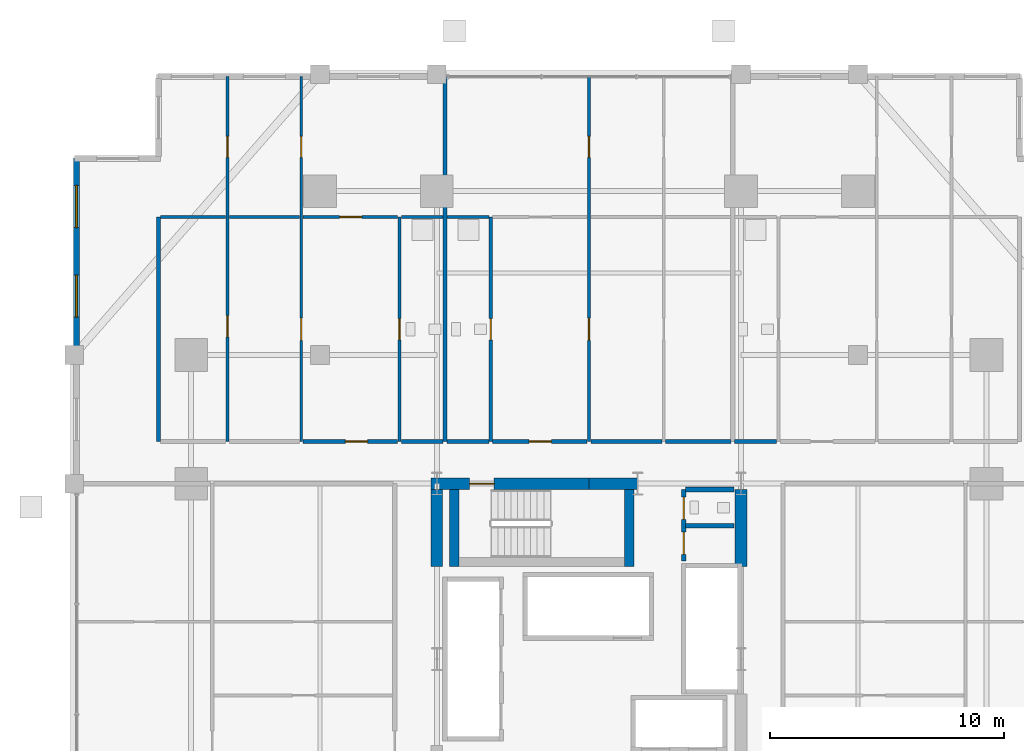
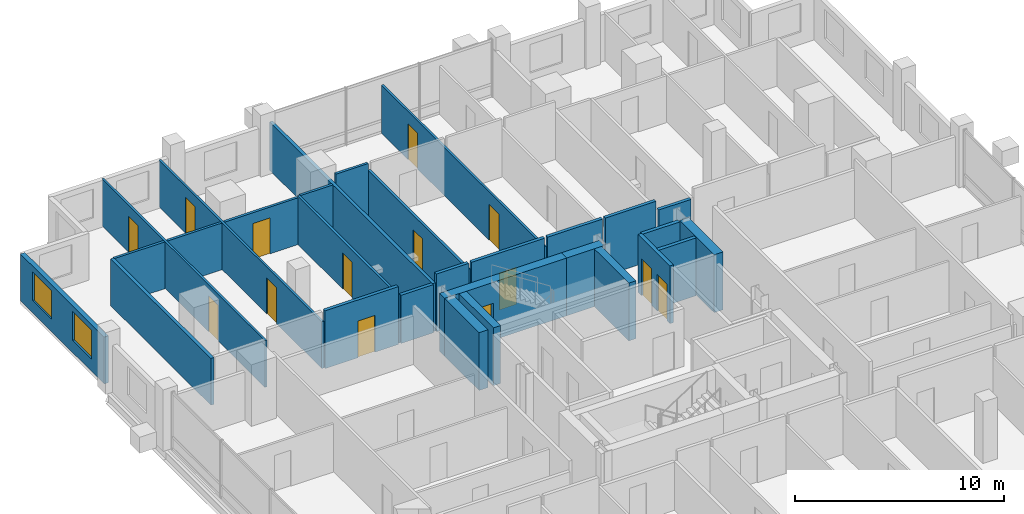
# One storey, part 20 of 24: 29 walls, 14 doors, 2 windows, 16 openings.
"""IFC4 building model written with IfcOpenShell, lengths in metres."""

from ifc_helpers import new_model, si_unit, direction, frame, frame_2d, origin, place, context, subcontext, project, spatial, rectangle, extrude, material, layer, layer_set, type_object, element, fill, save


model = new_model("IFC4")

# Units and contexts
model_context = context("Model", 3, precision=1e-05, world=origin(), true_north=direction((0.0, 1.0)))
body_context = subcontext(model_context, "Body", "Model", "MODEL_VIEW")
ifc_project = project(units=[si_unit("LENGTHUNIT", "METRE"), si_unit("AREAUNIT", "SQUARE_METRE"), si_unit("VOLUMEUNIT", "CUBIC_METRE"), si_unit("PLANEANGLEUNIT", "RADIAN"), si_unit("MASSUNIT", "GRAM", prefix="KILO")], contexts=[model_context])

# Site, building, storey
site_placement = place(None, origin())
site = spatial("IfcSite", under=ifc_project, at=site_placement, CompositionType="ELEMENT")
building_placement = place(site_placement, origin())
building = spatial("IfcBuilding", under=site, at=building_placement, Name="Barlavira Tower and Art Museum", CompositionType="ELEMENT")
storey_placement = place(building_placement, frame((0.0, 0.0, 43.199951171875)))
storey = spatial("IfcBuildingStorey", under=building, at=storey_placement, Name="L09", CompositionType="ELEMENT", Elevation=43.199951171875)

# Wall, openings, doors
ifc_material_1 = material(Name="Gypsum acoustic stud partition", Category="gypsum")
ifc_layer_1 = layer(ifc_material_1, 0.1201171875, Name="Gypsum acoustic stud partition")
ifc_layer_set_1 = layer_set([ifc_layer_1], Name="Gypsum acoustic stud partition")
wall_type_1 = type_object("IfcWallType", Name="Apartment Internal Acoustic Partition 120", PredefinedType="PARTITIONING", material=ifc_layer_set_1)
wall_1_placement = place(storey_placement, frame((-15.449951171875, 9.300048828125, 0.0), z_axis=(0.0, 0.0, 1.0), x_axis=(0.0, 1.0, 0.0)))
wall_1 = element("IfcWall", 1, at=wall_1_placement, inside=storey, type_object=wall_type_1, Name="L09 Partition Wall 4", PredefinedType="PARTITIONING", context=body_context, shape_type="SweptSolid", body=[
    extrude(rectangle(XDim=15.599853515625, YDim=0.1201171875, at=frame_2d((7.7998046875, 0.0))), origin(), (0.0, 0.0, 1.0), 2.736083984375),
])
opening_1_placement = place(wall_1_placement, frame((4.478271484375, 0.0, 0.0)))
opening_1 = element("IfcOpeningElement", 2, at=opening_1_placement, cuts=wall_1, Name="Opening D-01", PredefinedType="OPENING", context=body_context, shape_type="SweptSolid", body=[
    extrude(rectangle(XDim=0.89990234375, YDim=2.10009765625, at=frame_2d((0.449951171875, 1.050048828125))), frame((0.0, 0.070068359375, 0.0), z_axis=(0.0, -1.0, 0.0), x_axis=(1.0, 0.0, 0.0)), (0.0, 0.0, 1.0), 0.14013671875),
])
opening_2_placement = place(wall_1_placement, frame((12.14990234375, 0.0, 0.0)))
opening_2 = element("IfcOpeningElement", 3, at=opening_2_placement, cuts=wall_1, Name="Opening D-01", PredefinedType="OPENING", context=body_context, shape_type="SweptSolid", body=[
    extrude(rectangle(XDim=0.89990234375, YDim=2.10009765625, at=frame_2d((0.449951171875, 1.050048828125))), frame((0.0, 0.070068359375, 0.0), z_axis=(0.0, -1.0, 0.0), x_axis=(1.0, 0.0, 0.0)), (0.0, 0.0, 1.0), 0.14013671875),
])
ifc_material_2 = material(Name="Engineered coastal hardwood", Category="wood")
door_type_1 = type_object("IfcDoorType", Name="Internal Bedroom Timber Flush Door 900x2100", OperationType="NOTDEFINED", PredefinedType="DOOR", material=ifc_material_2)
door_1_placement = place(opening_1_placement, origin())
door_1 = element("IfcDoor", 4, at=door_1_placement, inside=storey, type_object=door_type_1, Name="Apartment N1 Walk-In Dressing Room Door", OperationType="SINGLE_SWING_RIGHT", OverallHeight=2.10009765625, OverallWidth=0.89990234375, PredefinedType="DOOR", context=body_context, shape_type="SweptSolid", body=[
    extrude(rectangle(XDim=0.89990234375, YDim=2.10009765625, at=frame_2d((0.449951171875, 1.050048828125))), frame((0.0, 0.02490234375, 0.0), z_axis=(0.0, -1.0, 0.0), x_axis=(1.0, 0.0, 0.0)), (0.0, 0.0, 1.0), 0.050048828125),
])
fill(opening_1, door_1)
door_2_placement = place(opening_2_placement, origin())
door_2 = element("IfcDoor", 5, at=door_2_placement, inside=storey, type_object=door_type_1, Name="Apartment N1 Sunroom Lounge 2 Door", OperationType="SINGLE_SWING_LEFT", OverallHeight=2.10009765625, OverallWidth=0.89990234375, PredefinedType="DOOR", context=body_context, shape_type="SweptSolid", body=[
    extrude(rectangle(XDim=0.89990234375, YDim=2.10009765625, at=frame_2d((0.449951171875, 1.050048828125))), frame((0.0, 0.02490234375, 0.0), z_axis=(0.0, -1.0, 0.0), x_axis=(1.0, 0.0, 0.0)), (0.0, 0.0, 1.0), 0.050048828125),
])
fill(opening_2, door_2)

wall_2_placement = place(storey_placement, frame((-12.300048828125, 9.300048828125, 0.0), z_axis=(0.0, 0.0, 1.0), x_axis=(0.0, 1.0, 0.0)))
wall_2 = element("IfcWall", 6, at=wall_2_placement, inside=storey, type_object=wall_type_1, Name="L09 Partition Wall 6", PredefinedType="PARTITIONING", context=body_context, shape_type="SweptSolid", body=[
    extrude(rectangle(XDim=15.599853515625, YDim=0.1201171875, at=frame_2d((7.7998046875, 0.0))), origin(), (0.0, 0.0, 1.0), 2.736083984375),
])
opening_3_placement = place(wall_2_placement, frame((4.324951171875, 0.0, 0.0)))
opening_3 = element("IfcOpeningElement", 7, at=opening_3_placement, cuts=wall_2, Name="Opening D-02", PredefinedType="OPENING", context=body_context, shape_type="SweptSolid", body=[
    extrude(rectangle(XDim=0.949951171875, YDim=2.10009765625, at=frame_2d((0.47509765625, 1.050048828125))), frame((0.0, 0.070068359375, 0.0), z_axis=(0.0, -1.0, 0.0), x_axis=(1.0, 0.0, 0.0)), (0.0, 0.0, 1.0), 0.14013671875),
])
opening_4_placement = place(wall_2_placement, frame((12.14990234375, 0.0, 0.0)))
opening_4 = element("IfcOpeningElement", 8, at=opening_4_placement, cuts=wall_2, Name="Opening D-01", PredefinedType="OPENING", context=body_context, shape_type="SweptSolid", body=[
    extrude(rectangle(XDim=0.89990234375, YDim=2.10009765625, at=frame_2d((0.449951171875, 1.050048828125))), frame((0.0, 0.070068359375, 0.0), z_axis=(0.0, -1.0, 0.0), x_axis=(1.0, 0.0, 0.0)), (0.0, 0.0, 1.0), 0.14013671875),
])
door_3_placement = place(opening_4_placement, origin())
door_3 = element("IfcDoor", 9, at=door_3_placement, inside=storey, type_object=door_type_1, Name="Apartment N1 Bedroom 1 Door", OperationType="SINGLE_SWING_RIGHT", OverallHeight=2.10009765625, OverallWidth=0.89990234375, PredefinedType="DOOR", context=body_context, shape_type="SweptSolid", body=[
    extrude(rectangle(XDim=0.89990234375, YDim=2.10009765625, at=frame_2d((0.449951171875, 1.050048828125))), frame((0.0, 0.02490234375, 0.0), z_axis=(0.0, -1.0, 0.0), x_axis=(1.0, 0.0, 0.0)), (0.0, 0.0, 1.0), 0.050048828125),
])
fill(opening_4, door_3)
door_type_2 = type_object("IfcDoorType", Name="Living and Salon Glazed-Leaf Door 950x2100", OperationType="NOTDEFINED", PredefinedType="DOOR", material=ifc_material_2)
door_4_placement = place(opening_3_placement, origin())
door_4 = element("IfcDoor", 10, at=door_4_placement, inside=storey, type_object=door_type_2, Name="Apartment N1 Kitchen Door", OperationType="SINGLE_SWING_LEFT", OverallHeight=2.10009765625, OverallWidth=0.949951171875, PredefinedType="DOOR", context=body_context, shape_type="SweptSolid", body=[
    extrude(rectangle(XDim=0.949951171875, YDim=2.10009765625, at=frame_2d((0.47509765625, 1.050048828125))), frame((0.0, 0.02490234375, 0.0), z_axis=(0.0, -1.0, 0.0), x_axis=(1.0, 0.0, 0.0)), (0.0, 0.0, 1.0), 0.050048828125),
])
fill(opening_3, door_4)

wall_3_placement = place(storey_placement, frame((0.0, 9.300048828125, 0.0), z_axis=(0.0, 0.0, 1.0), x_axis=(0.0, 1.0, 0.0)))
wall_3 = element("IfcWall", 11, at=wall_3_placement, inside=storey, type_object=wall_type_1, Name="L09 Partition Wall 15", PredefinedType="PARTITIONING", context=body_context, shape_type="SweptSolid", body=[
    extrude(rectangle(XDim=15.599853515625, YDim=0.1201171875, at=frame_2d((7.7998046875, 0.0))), origin(), (0.0, 0.0, 1.0), 2.816162109375),
])
opening_5_placement = place(wall_3_placement, frame((4.324951171875, 0.0, 0.0)))
opening_5 = element("IfcOpeningElement", 12, at=opening_5_placement, cuts=wall_3, Name="Opening D-02", PredefinedType="OPENING", context=body_context, shape_type="SweptSolid", body=[
    extrude(rectangle(XDim=0.949951171875, YDim=2.10009765625, at=frame_2d((0.47509765625, 1.050048828125))), frame((0.0, 0.070068359375, 0.0), z_axis=(0.0, -1.0, 0.0), x_axis=(1.0, 0.0, 0.0)), (0.0, 0.0, 1.0), 0.14013671875),
])
opening_6_placement = place(wall_3_placement, frame((12.14990234375, 0.0, 0.0)))
opening_6 = element("IfcOpeningElement", 13, at=opening_6_placement, cuts=wall_3, Name="Opening D-01", PredefinedType="OPENING", context=body_context, shape_type="SweptSolid", body=[
    extrude(rectangle(XDim=0.89990234375, YDim=2.10009765625, at=frame_2d((0.449951171875, 1.050048828125))), frame((0.0, 0.070068359375, 0.0), z_axis=(0.0, -1.0, 0.0), x_axis=(1.0, 0.0, 0.0)), (0.0, 0.0, 1.0), 0.14013671875),
])
door_5_placement = place(opening_6_placement, origin())
door_5 = element("IfcDoor", 14, at=door_5_placement, inside=storey, type_object=door_type_1, Name="Apartment N2 Bedroom 1 Door", OperationType="SINGLE_SWING_LEFT", OverallHeight=2.10009765625, OverallWidth=0.89990234375, PredefinedType="DOOR", context=body_context, shape_type="SweptSolid", body=[
    extrude(rectangle(XDim=0.89990234375, YDim=2.10009765625, at=frame_2d((0.449951171875, 1.050048828125))), frame((0.0, 0.02490234375, 0.0), z_axis=(0.0, -1.0, 0.0), x_axis=(1.0, 0.0, 0.0)), (0.0, 0.0, 1.0), 0.050048828125),
])
fill(opening_6, door_5)
door_6_placement = place(opening_5_placement, origin())
door_6 = element("IfcDoor", 15, at=door_6_placement, inside=storey, type_object=door_type_2, Name="Apartment N2 Kitchen Door", OperationType="SINGLE_SWING_RIGHT", OverallHeight=2.10009765625, OverallWidth=0.949951171875, PredefinedType="DOOR", context=body_context, shape_type="SweptSolid", body=[
    extrude(rectangle(XDim=0.949951171875, YDim=2.10009765625, at=frame_2d((0.47509765625, 1.050048828125))), frame((0.0, 0.02490234375, 0.0), z_axis=(0.0, -1.0, 0.0), x_axis=(1.0, 0.0, 0.0)), (0.0, 0.0, 1.0), 0.050048828125),
])
fill(opening_5, door_6)

# Wall, opening, door
ifc_material_3 = material(Name="Concrete C60", Category="concrete")
ifc_layer_2 = layer(ifc_material_3, 0.5, Name="Concrete C60")
ifc_layer_set_2 = layer_set([ifc_layer_2], Name="Concrete C60")
wall_type_2 = type_object("IfcWallType", Name="Core Structural Shear Wall 500 Concrete C60", PredefinedType="SHEAR", material=ifc_layer_set_2)
wall_4_placement = place(storey_placement, frame((-6.75, 7.5, 0.0), z_axis=(0.0, 0.0, 1.0), x_axis=(1.0, 0.0, 0.0)))
wall_4 = element("IfcWall", 16, at=wall_4_placement, inside=storey, type_object=wall_type_2, Name="L09 Core Shear Wall CS-NW", PredefinedType="SHEAR", context=body_context, shape_type="SweptSolid", body=[
    extrude(rectangle(XDim=6.75, YDim=0.5, at=frame_2d((3.375, 0.0))), origin(), (0.0, 0.0, 1.0), 3.380126953125),
])
opening_7_placement = place(wall_4_placement, frame((1.64990234375, 0.0, 0.0)))
opening_7 = element("IfcOpeningElement", 17, at=opening_7_placement, cuts=wall_4, Name="Opening FD-90", PredefinedType="OPENING", context=body_context, shape_type="SweptSolid", body=[
    extrude(rectangle(XDim=1.050048828125, YDim=2.14990234375, at=frame_2d((0.52490234375, 1.074951171875))), frame((0.0, 0.260009765625, 0.0), z_axis=(0.0, -1.0, 0.0), x_axis=(1.0, 0.0, 0.0)), (0.0, 0.0, 1.0), 0.52001953125),
])
ifc_material_4 = material(Name="Brushed stainless steel", Category="steel")
door_type_3 = type_object("IfcDoorType", Name="Stair and Refuge Fire Door 1050x2150 FD90S", OperationType="NOTDEFINED", PredefinedType="DOOR", material=ifc_material_4)
door_7_placement = place(opening_7_placement, origin())
door_7 = element("IfcDoor", 18, at=door_7_placement, inside=storey, type_object=door_type_3, Name="L09 Stair ST-T2 Fire Door", OperationType="SINGLE_SWING_LEFT", OverallHeight=2.14990234375, OverallWidth=1.050048828125, PredefinedType="DOOR", context=body_context, shape_type="SweptSolid", body=[
    extrude(rectangle(XDim=1.050048828125, YDim=2.14990234375, at=frame_2d((0.52490234375, 1.074951171875))), frame((0.0, 0.02490234375, 0.0), z_axis=(0.0, -1.0, 0.0), x_axis=(1.0, 0.0, 0.0)), (0.0, 0.0, 1.0), 0.050048828125),
])
fill(opening_7, door_7)

# Walls
wall_5_placement = place(storey_placement, frame((0.0, 7.5, 0.0), z_axis=(0.0, 0.0, 1.0), x_axis=(1.0, 0.0, 0.0)))
element("IfcWall", 19, at=wall_5_placement, inside=storey, type_object=wall_type_2, Name="L09 Core Shear Wall CS-EN", PredefinedType="SHEAR", context=body_context, shape_type="SweptSolid", body=[
    extrude(rectangle(XDim=2.080078125, YDim=0.5, at=frame_2d((1.0400390625, 0.0))), origin(), (0.0, 0.0, 1.0), 3.380126953125),
])
for number, where, z_axis, x_axis, name in (
    (20, (-6.5, 3.949951171875, 0.0), (0.0, 0.0, 1.0), (0.0, 1.0, 0.0), "L09 Core Shear Wall CS-W2"),
    (21, (6.5, 3.949951171875, 0.0), (0.0, 0.0, 1.0), (0.0, 1.0, 0.0), "L09 Core Shear Wall CS-E2"),
):
    element("IfcWall", number, at=place(storey_placement, frame(where, z_axis=z_axis, x_axis=x_axis)), inside=storey, type_object=wall_type_2, Name=name, PredefinedType="SHEAR", context=body_context, shape_type="SweptSolid", body=[
        extrude(rectangle(XDim=3.300048828125, YDim=0.5, at=frame_2d((1.64990234375, 0.0))), origin(), (0.0, 0.0, 1.0), 3.380126953125),
    ])

# Wall, openings, doors
ifc_material_5 = material(Name="Autoclaved aerated concrete masonry", Category="masonry")
ifc_layer_3 = layer(ifc_material_5, 0.199951171875, Name="Autoclaved aerated concrete masonry")
ifc_layer_set_3 = layer_set([ifc_layer_3], Name="Autoclaved aerated concrete masonry")
wall_type_3 = type_object("IfcWallType", Name="Fire Compartment and Shaft Wall 200", PredefinedType="SOLIDWALL", material=ifc_layer_set_3)
wall_6_placement = place(storey_placement, frame((4.050048828125, 4.199951171875, 0.0), z_axis=(0.0, 0.0, 1.0), x_axis=(0.0, 1.0, 0.0)))
wall_6 = element("IfcWall", 22, at=wall_6_placement, inside=storey, type_object=wall_type_3, Name="L09 Partition Wall 18", PredefinedType="SOLIDWALL", context=body_context, shape_type="SweptSolid", body=[
    extrude(rectangle(XDim=3.050048828125, YDim=0.199951171875, at=frame_2d((1.52490234375, 0.0))), origin(), (0.0, 0.0, 1.0), 3.380126953125),
])
opening_8_placement = place(wall_6_placement, frame((0.27490234375, 0.0, 0.0)))
opening_8 = element("IfcOpeningElement", 23, at=opening_8_placement, cuts=wall_6, Name="Opening FD-60", PredefinedType="OPENING", context=body_context, shape_type="SweptSolid", body=[
    extrude(rectangle(XDim=0.949951171875, YDim=2.14990234375, at=frame_2d((0.47509765625, 1.074951171875))), frame((0.0, 0.10986328125, 0.0), z_axis=(0.0, -1.0, 0.0), x_axis=(1.0, 0.0, 0.0)), (0.0, 0.0, 1.0), 0.219970703125),
])
opening_9_placement = place(wall_6_placement, frame((1.77490234375, 0.0, 0.0)))
opening_9 = element("IfcOpeningElement", 24, at=opening_9_placement, cuts=wall_6, Name="Opening FD-60", PredefinedType="OPENING", context=body_context, shape_type="SweptSolid", body=[
    extrude(rectangle(XDim=0.949951171875, YDim=2.14990234375, at=frame_2d((0.47509765625, 1.074951171875))), frame((0.0, 0.10986328125, 0.0), z_axis=(0.0, -1.0, 0.0), x_axis=(1.0, 0.0, 0.0)), (0.0, 0.0, 1.0), 0.219970703125),
])
door_type_4 = type_object("IfcDoorType", Name="Apartment Entrance and Riser Fire Door 950x2150 FD60S", OperationType="NOTDEFINED", PredefinedType="DOOR", material=ifc_material_4)
door_8_placement = place(opening_8_placement, origin())
door_8 = element("IfcDoor", 25, at=door_8_placement, inside=storey, type_object=door_type_4, Name="Electrical Switchgear Room Door", OperationType="SINGLE_SWING_LEFT", OverallHeight=2.14990234375, OverallWidth=0.949951171875, PredefinedType="DOOR", context=body_context, shape_type="SweptSolid", body=[
    extrude(rectangle(XDim=0.949951171875, YDim=2.14990234375, at=frame_2d((0.47509765625, 1.074951171875))), frame((0.0, 0.02490234375, 0.0), z_axis=(0.0, -1.0, 0.0), x_axis=(1.0, 0.0, 0.0)), (0.0, 0.0, 1.0), 0.050048828125),
])
fill(opening_8, door_8)
door_9_placement = place(opening_9_placement, origin())
door_9 = element("IfcDoor", 26, at=door_9_placement, inside=storey, type_object=door_type_4, Name="Core Staff Toilet Door", OperationType="SINGLE_SWING_RIGHT", OverallHeight=2.14990234375, OverallWidth=0.949951171875, PredefinedType="DOOR", context=body_context, shape_type="SweptSolid", body=[
    extrude(rectangle(XDim=0.949951171875, YDim=2.14990234375, at=frame_2d((0.47509765625, 1.074951171875))), frame((0.0, 0.02490234375, 0.0), z_axis=(0.0, -1.0, 0.0), x_axis=(1.0, 0.0, 0.0)), (0.0, 0.0, 1.0), 0.050048828125),
])
fill(opening_9, door_9)

# Walls
for number, where, z_axis, x_axis, name in (
    (27, (4.1298828125, 5.699951171875, 0.0), (0.0, 0.0, 1.0), (1.0, 0.0, 0.0), "L09 Partition Wall 67"),
    (28, (4.1298828125, 7.25, 0.0), (0.0, 0.0, 1.0), (1.0, 0.0, 0.0), "L09 Partition Wall 68"),
):
    element("IfcWall", number, at=place(storey_placement, frame(where, z_axis=z_axis, x_axis=x_axis)), inside=storey, type_object=wall_type_3, Name=name, PredefinedType="SOLIDWALL", context=body_context, shape_type="SweptSolid", body=[
        extrude(rectangle(XDim=2.070068359375, YDim=0.199951171875, at=frame_2d((1.03515625, 0.0))), origin(), (0.0, 0.0, 1.0), 3.380126953125),
    ])
ifc_layer_4 = layer(ifc_material_1, 0.179931640625, Name="Gypsum acoustic stud partition")
ifc_layer_set_4 = layer_set([ifc_layer_4], Name="Gypsum acoustic stud partition")
wall_type_4 = type_object("IfcWallType", Name="Inter-Tenancy Party Partition Wall 180", PredefinedType="PARTITIONING", material=ifc_layer_set_4)
wall_7_placement = place(storey_placement, frame((-18.39990234375, 9.300048828125, 0.0), z_axis=(0.0, 0.0, 1.0), x_axis=(0.0, 1.0, 0.0)))
element("IfcWall", 29, at=wall_7_placement, inside=storey, type_object=wall_type_4, Name="L09 Partition Wall 2", PredefinedType="PARTITIONING", context=body_context, shape_type="SweptSolid", body=[
    extrude(rectangle(XDim=9.599853515625, YDim=0.179931640625, at=frame_2d((4.7998046875, 0.0))), origin(), (0.0, 0.0, 1.0), 2.736083984375),
])
wall_8_placement = place(storey_placement, frame((-6.14990234375, 9.300048828125, 0.0), z_axis=(0.0, 0.0, 1.0), x_axis=(0.0, 1.0, 0.0)))
element("IfcWall", 30, at=wall_8_placement, inside=storey, type_object=wall_type_4, Name="L09 Partition Wall 11", PredefinedType="PARTITIONING", context=body_context, shape_type="SweptSolid", body=[
    extrude(rectangle(XDim=15.599853515625, YDim=0.179931640625, at=frame_2d((7.7998046875, 0.0))), origin(), (0.0, 0.0, 1.0), 2.816162109375),
])

# Wall, opening, door
wall_9_placement = place(storey_placement, frame((-12.219970703125, 9.300048828125, 0.0), z_axis=(0.0, 0.0, 1.0), x_axis=(1.0, 0.0, 0.0)))
wall_9 = element("IfcWall", 31, at=wall_9_placement, inside=storey, type_object=wall_type_4, Name="L09 Partition Wall 75", PredefinedType="PARTITIONING", context=body_context, shape_type="SweptSolid", body=[
    extrude(rectangle(XDim=4.0400390625, YDim=0.179931640625, at=frame_2d((2.02001953125, 0.0))), origin(), (0.0, 0.0, 1.0), 3.380126953125),
])
opening_10_placement = place(wall_9_placement, frame((1.804931640625, 0.0, 0.0)))
opening_10 = element("IfcOpeningElement", 32, at=opening_10_placement, cuts=wall_9, Name="Opening FD-60", PredefinedType="OPENING", context=body_context, shape_type="SweptSolid", body=[
    extrude(rectangle(XDim=0.949951171875, YDim=2.14990234375, at=frame_2d((0.47509765625, 1.074951171875))), frame((0.0, 0.10009765625, 0.0), z_axis=(0.0, -1.0, 0.0), x_axis=(1.0, 0.0, 0.0)), (0.0, 0.0, 1.0), 0.199951171875),
])
door_10_placement = place(opening_10_placement, origin())
door_10 = element("IfcDoor", 33, at=door_10_placement, inside=storey, type_object=door_type_4, Name="Apartment Entrance Hall N1 Door", OperationType="SINGLE_SWING_RIGHT", OverallHeight=2.14990234375, OverallWidth=0.949951171875, PredefinedType="DOOR", context=body_context, shape_type="SweptSolid", body=[
    extrude(rectangle(XDim=0.949951171875, YDim=2.14990234375, at=frame_2d((0.47509765625, 1.074951171875))), frame((0.0, 0.02490234375, 0.0), z_axis=(0.0, -1.0, 0.0), x_axis=(1.0, 0.0, 0.0)), (0.0, 0.0, 1.0), 0.050048828125),
])
fill(opening_10, door_10)

# Walls
wall_10_placement = place(storey_placement, frame((-8.02001953125, 9.300048828125, 0.0), z_axis=(0.0, 0.0, 1.0), x_axis=(1.0, 0.0, 0.0)))
element("IfcWall", 34, at=wall_10_placement, inside=storey, type_object=wall_type_4, Name="L09 Partition Wall 76", PredefinedType="PARTITIONING", context=body_context, shape_type="SweptSolid", body=[
    extrude(rectangle(XDim=1.7900390625, YDim=0.179931640625, at=frame_2d((0.89501953125, 0.0))), origin(), (0.0, 0.0, 1.0), 2.816162109375),
])
wall_11_placement = place(storey_placement, frame((-6.070068359375, 9.300048828125, 0.0), z_axis=(0.0, 0.0, 1.0), x_axis=(1.0, 0.0, 0.0)))
element("IfcWall", 35, at=wall_11_placement, inside=storey, type_object=wall_type_4, Name="L09 Partition Wall 77", PredefinedType="PARTITIONING", context=body_context, shape_type="SweptSolid", body=[
    extrude(rectangle(XDim=1.7900390625, YDim=0.179931640625, at=frame_2d((0.89501953125, 0.0))), origin(), (0.0, 0.0, 1.0), 3.380126953125),
])

# Wall, opening, door
wall_12_placement = place(storey_placement, frame((-4.1201171875, 9.300048828125, 0.0), z_axis=(0.0, 0.0, 1.0), x_axis=(1.0, 0.0, 0.0)))
wall_12 = element("IfcWall", 36, at=wall_12_placement, inside=storey, type_object=wall_type_4, Name="L09 Partition Wall 78", PredefinedType="PARTITIONING", context=body_context, shape_type="SweptSolid", body=[
    extrude(rectangle(XDim=4.0400390625, YDim=0.179931640625, at=frame_2d((2.02001953125, 0.0))), origin(), (0.0, 0.0, 1.0), 3.380126953125),
])
opening_11_placement = place(wall_12_placement, frame((1.56494140625, 0.0, 0.0)))
opening_11 = element("IfcOpeningElement", 37, at=opening_11_placement, cuts=wall_12, Name="Opening FD-60", PredefinedType="OPENING", context=body_context, shape_type="SweptSolid", body=[
    extrude(rectangle(XDim=0.949951171875, YDim=2.14990234375, at=frame_2d((0.47509765625, 1.074951171875))), frame((0.0, 0.10009765625, 0.0), z_axis=(0.0, -1.0, 0.0), x_axis=(1.0, 0.0, 0.0)), (0.0, 0.0, 1.0), 0.199951171875),
])
door_11_placement = place(opening_11_placement, origin())
door_11 = element("IfcDoor", 38, at=door_11_placement, inside=storey, type_object=door_type_4, Name="Apartment Entrance Hall N2 Door", OperationType="SINGLE_SWING_LEFT", OverallHeight=2.14990234375, OverallWidth=0.949951171875, PredefinedType="DOOR", context=body_context, shape_type="SweptSolid", body=[
    extrude(rectangle(XDim=0.949951171875, YDim=2.14990234375, at=frame_2d((0.47509765625, 1.074951171875))), frame((0.0, 0.02490234375, 0.0), z_axis=(0.0, -1.0, 0.0), x_axis=(1.0, 0.0, 0.0)), (0.0, 0.0, 1.0), 0.050048828125),
])
fill(opening_11, door_11)

# Walls
wall_13_placement = place(storey_placement, frame((0.080078125, 9.300048828125, 0.0), z_axis=(0.0, 0.0, 1.0), x_axis=(1.0, 0.0, 0.0)))
element("IfcWall", 39, at=wall_13_placement, inside=storey, type_object=wall_type_4, Name="L09 Partition Wall 79", PredefinedType="PARTITIONING", context=body_context, shape_type="SweptSolid", body=[
    extrude(rectangle(XDim=3.0400390625, YDim=0.179931640625, at=frame_2d((1.52001953125, 0.0))), origin(), (0.0, 0.0, 1.0), 3.380126953125),
])
wall_14_placement = place(storey_placement, frame((3.280029296875, 9.300048828125, 0.0), z_axis=(0.0, 0.0, 1.0), x_axis=(1.0, 0.0, 0.0)))
element("IfcWall", 40, at=wall_14_placement, inside=storey, type_object=wall_type_4, Name="L09 Partition Wall 80", PredefinedType="PARTITIONING", context=body_context, shape_type="SweptSolid", body=[
    extrude(rectangle(XDim=2.7900390625, YDim=0.179931640625, at=frame_2d((1.39501953125, 0.0))), origin(), (0.0, 0.0, 1.0), 3.380126953125),
])
wall_15_placement = place(storey_placement, frame((6.22998046875, 9.300048828125, 0.0), z_axis=(0.0, 0.0, 1.0), x_axis=(1.0, 0.0, 0.0)))
element("IfcWall", 41, at=wall_15_placement, inside=storey, type_object=wall_type_4, Name="L09 Partition Wall 81", PredefinedType="PARTITIONING", context=body_context, shape_type="SweptSolid", body=[
    extrude(rectangle(XDim=1.7900390625, YDim=0.179931640625, at=frame_2d((0.89501953125, 0.0))), origin(), (0.0, 0.0, 1.0), 2.816162109375),
])

# Wall, opening, door
ifc_layer_5 = layer(ifc_material_1, 0.139892578125, Name="Gypsum acoustic stud partition")
ifc_layer_set_5 = layer_set([ifc_layer_5], Name="Gypsum acoustic stud partition")
wall_type_5 = type_object("IfcWallType", Name="Moisture-Resistant Bathroom Partition 140", PredefinedType="PARTITIONING", material=ifc_layer_set_5)
wall_16_placement = place(storey_placement, frame((-8.10009765625, 9.300048828125, 0.0), z_axis=(0.0, 0.0, 1.0), x_axis=(0.0, 1.0, 0.0)))
wall_16 = element("IfcWall", 42, at=wall_16_placement, inside=storey, type_object=wall_type_5, Name="L09 Partition Wall 9", PredefinedType="PARTITIONING", context=body_context, shape_type="SweptSolid", body=[
    extrude(rectangle(XDim=9.599853515625, YDim=0.139892578125, at=frame_2d((4.7998046875, 0.0))), origin(), (0.0, 0.0, 1.0), 2.816162109375),
])
opening_12_placement = place(wall_16_placement, frame((4.35009765625, 0.0, 0.0)))
opening_12 = element("IfcOpeningElement", 43, at=opening_12_placement, cuts=wall_16, Name="Opening D-WC", PredefinedType="OPENING", context=body_context, shape_type="SweptSolid", body=[
    extrude(rectangle(XDim=0.89990234375, YDim=2.10009765625, at=frame_2d((0.449951171875, 1.050048828125))), frame((0.0, 0.080078125, 0.0), z_axis=(0.0, -1.0, 0.0), x_axis=(1.0, 0.0, 0.0)), (0.0, 0.0, 1.0), 0.159912109375),
])
door_type_5 = type_object("IfcDoorType", Name="Accessible Bathroom Flush Door 900x2100", OperationType="NOTDEFINED", PredefinedType="DOOR", material=ifc_material_2)
door_12_placement = place(opening_12_placement, origin())
door_12 = element("IfcDoor", 44, at=door_12_placement, inside=storey, type_object=door_type_5, Name="Apartment N1 Hall Bathroom Door", OperationType="SINGLE_SWING_LEFT", OverallHeight=2.10009765625, OverallWidth=0.89990234375, PredefinedType="DOOR", context=body_context, shape_type="SweptSolid", body=[
    extrude(rectangle(XDim=0.89990234375, YDim=2.10009765625, at=frame_2d((0.449951171875, 1.050048828125))), frame((0.0, 0.02490234375, 0.0), z_axis=(0.0, -1.0, 0.0), x_axis=(1.0, 0.0, 0.0)), (0.0, 0.0, 1.0), 0.050048828125),
])
fill(opening_12, door_12)

wall_17_placement = place(storey_placement, frame((-4.199951171875, 9.300048828125, 0.0), z_axis=(0.0, 0.0, 1.0), x_axis=(0.0, 1.0, 0.0)))
wall_17 = element("IfcWall", 45, at=wall_17_placement, inside=storey, type_object=wall_type_5, Name="L09 Partition Wall 12", PredefinedType="PARTITIONING", context=body_context, shape_type="SweptSolid", body=[
    extrude(rectangle(XDim=9.599853515625, YDim=0.139892578125, at=frame_2d((4.7998046875, 0.0))), origin(), (0.0, 0.0, 1.0), 2.947998046875),
])
opening_13_placement = place(wall_17_placement, frame((4.35009765625, 0.0, 0.0)))
opening_13 = element("IfcOpeningElement", 46, at=opening_13_placement, cuts=wall_17, Name="Opening D-WC", PredefinedType="OPENING", context=body_context, shape_type="SweptSolid", body=[
    extrude(rectangle(XDim=0.89990234375, YDim=2.10009765625, at=frame_2d((0.449951171875, 1.050048828125))), frame((0.0, 0.080078125, 0.0), z_axis=(0.0, -1.0, 0.0), x_axis=(1.0, 0.0, 0.0)), (0.0, 0.0, 1.0), 0.159912109375),
])
door_13_placement = place(opening_13_placement, origin())
door_13 = element("IfcDoor", 47, at=door_13_placement, inside=storey, type_object=door_type_5, Name="Apartment N2 Hall Bathroom Door", OperationType="SINGLE_SWING_RIGHT", OverallHeight=2.10009765625, OverallWidth=0.89990234375, PredefinedType="DOOR", context=body_context, shape_type="SweptSolid", body=[
    extrude(rectangle(XDim=0.89990234375, YDim=2.10009765625, at=frame_2d((0.449951171875, 1.050048828125))), frame((0.0, 0.02490234375, 0.0), z_axis=(0.0, -1.0, 0.0), x_axis=(1.0, 0.0, 0.0)), (0.0, 0.0, 1.0), 0.050048828125),
])
fill(opening_13, door_13)

# Walls
wall_18_placement = place(storey_placement, frame((-18.320068359375, 18.89990234375, 0.0), z_axis=(0.0, 0.0, 1.0), x_axis=(1.0, 0.0, 0.0)))
element("IfcWall", 48, at=wall_18_placement, inside=storey, type_object=wall_type_5, Name="L09 Partition Wall 85", PredefinedType="PARTITIONING", context=body_context, shape_type="SweptSolid", body=[
    extrude(rectangle(XDim=2.7900390625, YDim=0.139892578125, at=frame_2d((1.39501953125, 0.0))), origin(), (0.0, 0.0, 1.0), 2.736083984375),
])
wall_19_placement = place(storey_placement, frame((-15.3701171875, 18.89990234375, 0.0), z_axis=(0.0, 0.0, 1.0), x_axis=(1.0, 0.0, 0.0)))
element("IfcWall", 49, at=wall_19_placement, inside=storey, type_object=wall_type_5, Name="L09 Partition Wall 86", PredefinedType="PARTITIONING", context=body_context, shape_type="SweptSolid", body=[
    extrude(rectangle(XDim=2.990234375, YDim=0.139892578125, at=frame_2d((1.4951171875, 0.0))), origin(), (0.0, 0.0, 1.0), 2.736083984375),
])

# Wall, opening, door
wall_20_placement = place(storey_placement, frame((-12.219970703125, 18.89990234375, 0.0), z_axis=(0.0, 0.0, 1.0), x_axis=(1.0, 0.0, 0.0)))
wall_20 = element("IfcWall", 50, at=wall_20_placement, inside=storey, type_object=wall_type_5, Name="L09 Partition Wall 87", PredefinedType="PARTITIONING", context=body_context, shape_type="SweptSolid", body=[
    extrude(rectangle(XDim=4.0400390625, YDim=0.139892578125, at=frame_2d((2.02001953125, 0.0))), origin(), (0.0, 0.0, 1.0), 2.736083984375),
])
opening_14_placement = place(wall_20_placement, frame((1.56494140625, 0.0, 0.0)))
opening_14 = element("IfcOpeningElement", 51, at=opening_14_placement, cuts=wall_20, Name="Opening D-02", PredefinedType="OPENING", context=body_context, shape_type="SweptSolid", body=[
    extrude(rectangle(XDim=0.949951171875, YDim=2.10009765625, at=frame_2d((0.47509765625, 1.050048828125))), frame((0.0, 0.080078125, 0.0), z_axis=(0.0, -1.0, 0.0), x_axis=(1.0, 0.0, 0.0)), (0.0, 0.0, 1.0), 0.159912109375),
])
door_14_placement = place(opening_14_placement, origin())
door_14 = element("IfcDoor", 52, at=door_14_placement, inside=storey, type_object=door_type_2, Name="Apartment N1 Living Lounge Door", OperationType="SINGLE_SWING_LEFT", OverallHeight=2.10009765625, OverallWidth=0.949951171875, PredefinedType="DOOR", context=body_context, shape_type="SweptSolid", body=[
    extrude(rectangle(XDim=0.949951171875, YDim=2.10009765625, at=frame_2d((0.47509765625, 1.050048828125))), frame((0.0, 0.02490234375, 0.0), z_axis=(0.0, -1.0, 0.0), x_axis=(1.0, 0.0, 0.0)), (0.0, 0.0, 1.0), 0.050048828125),
])
fill(opening_14, door_14)

# Walls
wall_21_placement = place(storey_placement, frame((-8.02001953125, 18.89990234375, 0.0), z_axis=(0.0, 0.0, 1.0), x_axis=(1.0, 0.0, 0.0)))
element("IfcWall", 53, at=wall_21_placement, inside=storey, type_object=wall_type_5, Name="L09 Partition Wall 88", PredefinedType="PARTITIONING", context=body_context, shape_type="SweptSolid", body=[
    extrude(rectangle(XDim=1.7900390625, YDim=0.139892578125, at=frame_2d((0.89501953125, 0.0))), origin(), (0.0, 0.0, 1.0), 2.816162109375),
])
wall_22_placement = place(storey_placement, frame((-6.070068359375, 18.89990234375, 0.0), z_axis=(0.0, 0.0, 1.0), x_axis=(1.0, 0.0, 0.0)))
element("IfcWall", 54, at=wall_22_placement, inside=storey, type_object=wall_type_5, Name="L09 Partition Wall 89", PredefinedType="PARTITIONING", context=body_context, shape_type="SweptSolid", body=[
    extrude(rectangle(XDim=1.7900390625, YDim=0.139892578125, at=frame_2d((0.89501953125, 0.0))), origin(), (0.0, 0.0, 1.0), 3.380126953125),
])

# Wall, openings, windows
ifc_material_6 = material(Name="Precast concrete C40", Category="concrete")
ifc_layer_6 = layer(ifc_material_6, 0.25, Name="Precast concrete C40")
ifc_layer_set_6 = layer_set([ifc_layer_6], Name="Precast concrete C40")
wall_type_6 = type_object("IfcWallType", Name="Notched Corner Spandrel Wall 250 Precast Concrete C40", PredefinedType="SOLIDWALL", material=ifc_layer_set_6)
wall_23_placement = place(storey_placement, frame((-21.89990234375, 21.425048828125, 0.0), z_axis=(0.0, 0.0, 1.0), x_axis=(0.0, -1.0, 0.0)))
wall_23 = element("IfcWall", 55, at=wall_23_placement, inside=storey, type_object=wall_type_6, Name="L09 Coastal Facade Pier Wall CW1-L09-W-1", PredefinedType="SOLIDWALL", context=body_context, shape_type="SweptSolid", body=[
    extrude(rectangle(XDim=8.030029296875, YDim=0.25, at=frame_2d((4.01513671875, 0.0))), origin(), (0.0, 0.0, 1.0), 2.736083984375),
])
opening_15_placement = place(wall_23_placement, frame((1.176025390625, 0.0, 0.719970703125)))
opening_15 = element("IfcOpeningElement", 56, at=opening_15_placement, cuts=wall_23, Name="Opening WN-01", PredefinedType="OPENING", context=body_context, shape_type="SweptSolid", body=[
    extrude(rectangle(XDim=1.800048828125, YDim=1.679931640625, at=frame_2d((0.89990234375, 0.83984375))), frame((0.0, 0.135009765625, 0.0), z_axis=(0.0, -1.0, 0.0), x_axis=(1.0, 0.0, 0.0)), (0.0, 0.0, 1.0), 0.27001953125),
])
opening_16_placement = place(wall_23_placement, frame((5.009033203125, 0.0, 0.719970703125)))
opening_16 = element("IfcOpeningElement", 57, at=opening_16_placement, cuts=wall_23, Name="Opening WN-01", PredefinedType="OPENING", context=body_context, shape_type="SweptSolid", body=[
    extrude(rectangle(XDim=1.800048828125, YDim=1.679931640625, at=frame_2d((0.89990234375, 0.83984375))), frame((0.0, 0.135009765625, 0.0), z_axis=(0.0, -1.0, 0.0), x_axis=(1.0, 0.0, 0.0)), (0.0, 0.0, 1.0), 0.27001953125),
])
ifc_material_7 = material(Name="Low-iron coastal laminated glass", Category="glass")
window_type = type_object("IfcWindowType", Name="Recessed Notch Corner Punch Window 1800x1680", PartitioningType="SINGLE_PANEL", PredefinedType="WINDOW", material=ifc_material_7)
window_1_placement = place(opening_15_placement, origin())
window_1 = element("IfcWindow", 58, at=window_1_placement, inside=storey, type_object=window_type, Name="L09 Punched Facade Window EWP-CW1-L09-W-1-1", OverallHeight=1.679931640625, OverallWidth=1.800048828125, PartitioningType="SINGLE_PANEL", PredefinedType="WINDOW", context=body_context, shape_type="SweptSolid", body=[
    extrude(rectangle(XDim=1.800048828125, YDim=1.679931640625, at=frame_2d((0.89990234375, 0.83984375))), frame((0.0, 0.030029296875, 0.0), z_axis=(0.0, -1.0, 0.0), x_axis=(1.0, 0.0, 0.0)), (0.0, 0.0, 1.0), 0.06005859375),
])
fill(opening_15, window_1)
window_2_placement = place(opening_16_placement, origin())
window_2 = element("IfcWindow", 59, at=window_2_placement, inside=storey, type_object=window_type, Name="L09 Punched Facade Window EWP-CW1-L09-W-1-2", OverallHeight=1.679931640625, OverallWidth=1.800048828125, PartitioningType="SINGLE_PANEL", PredefinedType="WINDOW", context=body_context, shape_type="SweptSolid", body=[
    extrude(rectangle(XDim=1.800048828125, YDim=1.679931640625, at=frame_2d((0.89990234375, 0.83984375))), frame((0.0, 0.030029296875, 0.0), z_axis=(0.0, -1.0, 0.0), x_axis=(1.0, 0.0, 0.0)), (0.0, 0.0, 1.0), 0.06005859375),
])
fill(opening_16, window_2)

# Walls
ifc_material_8 = material(Name="Concrete C55", Category="concrete")
ifc_layer_7 = layer(ifc_material_8, 0.39990234375, Name="Concrete C55")
ifc_layer_set_7 = layer_set([ifc_layer_7], Name="Concrete C55")
wall_type_7 = type_object("IfcWallType", Name="Upper Core Shear Wall 400 Concrete C55", PredefinedType="SHEAR", material=ifc_layer_set_7)
for number, where, z_axis, x_axis, name in (
    (60, (1.72998046875, 3.949951171875, 0.0), (0.0, 0.0, 1.0), (0.0, 1.0, 0.0), "L09 ST-T2 East Half-Landing Wall"),
    (61, (-5.75, 3.949951171875, 0.0), (0.0, 0.0, 1.0), (0.0, 1.0, 0.0), "L09 ST-T2 West Shaft Wall"),
):
    element("IfcWall", number, at=place(storey_placement, frame(where, z_axis=z_axis, x_axis=x_axis)), inside=storey, type_object=wall_type_7, Name=name, PredefinedType="SHEAR", context=body_context, shape_type="SweptSolid", body=[
        extrude(rectangle(XDim=3.300048828125, YDim=0.39990234375, at=frame_2d((1.64990234375, 0.0))), origin(), (0.0, 0.0, 1.0), 3.380126953125),
    ])

save(model, "model.ifc")
